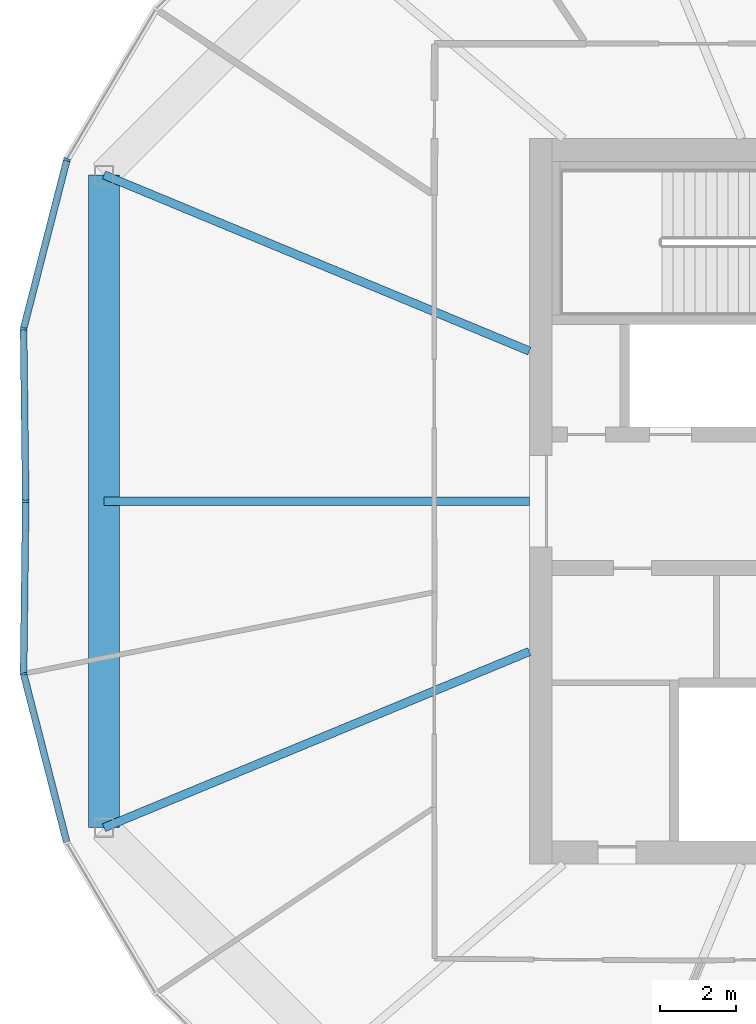
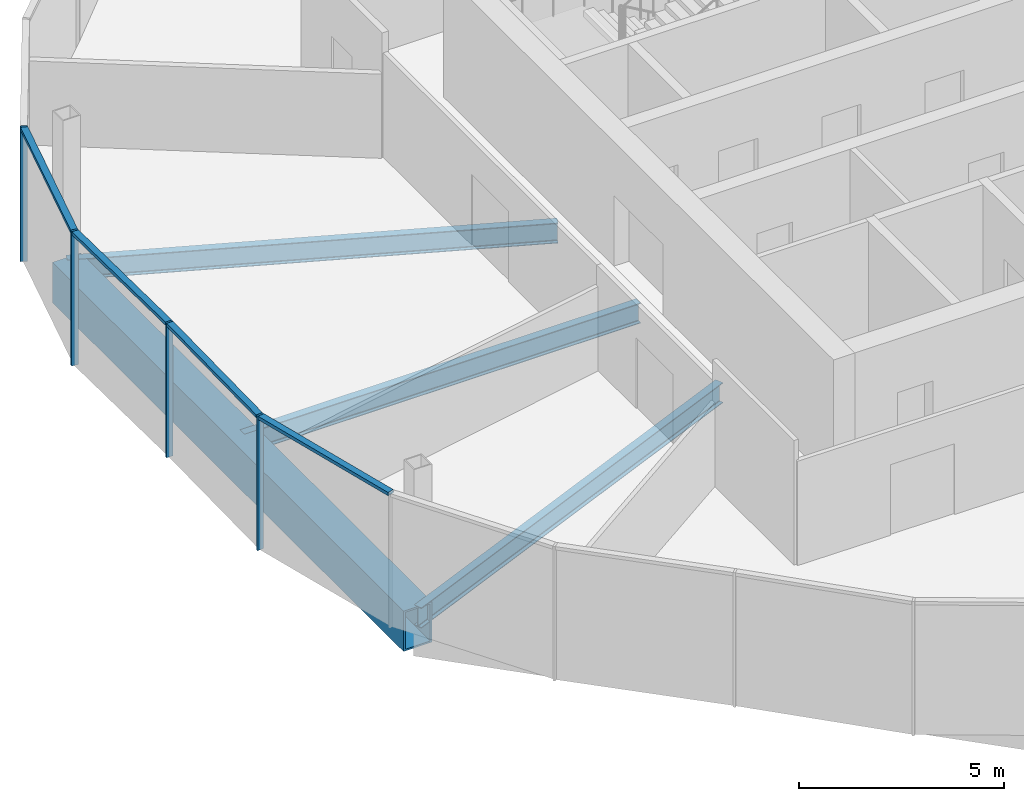
# One storey, part 4 of 25: 8 members, 4 beams, 2 elements without a shape of their own.
"""IFC4 building model written with IfcOpenShell, lengths in metres."""

import ifcopenshell
import ifcopenshell.guid

model = None  # the IFC model being written
_history = None  # IfcOwnerHistory: only IFC2X3 demands one
_inside = {}  # id of a spatial element -> (the spatial element, [elements in it])
_under = {}  # id of a project, library or spatial element -> (it, [spatial elements below it])
_declared = {}  # id of a project -> (the project, [libraries it declares])
_typed = {}  # id of a type object -> (the type object, [elements of that type])
_made_of = {}  # id of a material, layer set ... -> (it, [elements and type objects made of it])


def new_model(schema):
    """Start an empty IFC model of exactly this schema.

    Asked for "IFC4X3", IfcOpenShell would pick the latest addendum, in which some entities
    have other attributes; the version numbers below select the first issue.
    IFC2X3 requires an IfcOwnerHistory on every rooted entity: one is made here for all.
    """
    global model, _history
    if schema == "IFC4X3":
        model = ifcopenshell.file(schema_version=(4, 3, 0, 0))
    else:
        model = ifcopenshell.file(schema=schema)
    _inside.clear()
    _under.clear()
    _declared.clear()
    _typed.clear()
    _made_of.clear()
    _history = None
    if model.schema == "IFC2X3":
        org = make("IfcOrganization", Name="unknown")
        user = make(
            "IfcPersonAndOrganization",
            ThePerson=make("IfcPerson", FamilyName="unknown"),
            TheOrganization=org,
        )
        app = make(
            "IfcApplication",
            ApplicationDeveloper=org,
            Version="unknown",
            ApplicationFullName="unknown",
            ApplicationIdentifier="unknown",
        )
        _history = make(
            "IfcOwnerHistory",
            OwningUser=user,
            OwningApplication=app,
            ChangeAction="ADDED",
            CreationDate=0,
        )
    return model


def make(cls, **values):
    """One entity of the class cls with the attributes given. An attribute that is None is left unset."""
    return model.create_entity(
        cls, **{name: value for name, value in values.items() if value is not None}
    )


def rooted(cls, **values):
    """An entity with a GlobalId (a new one), such as an element, a storey or a relation."""
    return make(cls, GlobalId=ifcopenshell.guid.new(), OwnerHistory=_history, **values)


def si_unit(unit_type, name, prefix=None):
    """IfcSIUnit, for example si_unit("LENGTHUNIT", "METRE", prefix="MILLI")."""
    return make("IfcSIUnit", UnitType=unit_type, Prefix=prefix, Name=name)


def assignment(units):
    """IfcUnitAssignment: the units of a project."""
    return None if units is None else make("IfcUnitAssignment", Units=units)


def point(xyz):
    """IfcCartesianPoint."""
    return None if xyz is None else make("IfcCartesianPoint", Coordinates=xyz)


def direction(xyz):
    """IfcDirection."""
    return None if xyz is None else make("IfcDirection", DirectionRatios=xyz)


def frame(location, z_axis=None, x_axis=None):
    """IfcAxis2Placement3D, a coordinate frame: its origin and axes. An axis left out is left unset."""
    return make(
        "IfcAxis2Placement3D",
        Location=point(location),
        Axis=direction(z_axis),
        RefDirection=direction(x_axis),
    )


def frame_2d(location, x_axis=None):
    """IfcAxis2Placement2D, a coordinate frame in the plane: its origin and x axis."""
    return make(
        "IfcAxis2Placement2D", Location=point(location), RefDirection=direction(x_axis)
    )


def origin():
    """The frame at (0, 0, 0) with its axes left unset."""
    return frame((0.0, 0.0, 0.0))


def origin_2d():
    """The frame at (0, 0) in the plane with its x axis left unset."""
    return frame_2d((0.0, 0.0))


def place(relative_to, where):
    """IfcLocalPlacement: puts the frame where relative to a parent placement (None: the world)."""
    return make(
        "IfcLocalPlacement", PlacementRelTo=relative_to, RelativePlacement=where
    )


def context(
    kind, dimensions, precision=None, world=None, true_north=None, identifier=None
):
    """IfcGeometricRepresentationContext, for example the 3D "Model" context."""
    return make(
        "IfcGeometricRepresentationContext",
        ContextIdentifier=identifier,
        ContextType=kind,
        CoordinateSpaceDimension=dimensions,
        Precision=precision,
        WorldCoordinateSystem=world,
        TrueNorth=true_north,
    )


def subcontext(parent, identifier, kind, view, scale=None):
    """IfcGeometricRepresentationSubContext, for example "Body" below "Model"."""
    return make(
        "IfcGeometricRepresentationSubContext",
        ContextIdentifier=identifier,
        ContextType=kind,
        ParentContext=parent,
        TargetScale=scale,
        TargetView=view,
    )


def project(units=None, contexts=None):
    """IfcProject with its units and contexts."""
    return rooted(
        "IfcProject",
        Name="project",
        RepresentationContexts=contexts,
        UnitsInContext=assignment(units),
    )


def spatial(cls, under=None, at=None, **own):
    """A site, building, storey or space (cls), placed at a placement, below another one or the project."""
    s = rooted(cls, ObjectPlacement=at, **own)
    if under is not None:
        _under.setdefault(under.id(), (under, []))[1].append(s)
    return s


def profile(cls, at=None, kind="AREA", **sizes):
    """A parametric profile (cls). Its sizes go by their IFC names, for example OverallWidth=200.0."""
    return make(cls, ProfileType=kind, Position=at, **sizes)


def rectangle(**sizes):
    """IfcRectangleProfileDef."""
    return profile("IfcRectangleProfileDef", **sizes)


def hollow_rectangle(**sizes):
    """IfcRectangleHollowProfileDef."""
    return profile("IfcRectangleHollowProfileDef", **sizes)


def i_section(**sizes):
    """IfcIShapeProfileDef."""
    return profile("IfcIShapeProfileDef", **sizes)


def extrude(swept, where, along, depth):
    """IfcExtrudedAreaSolid: the profile swept, set in the frame where, extruded along a direction by depth."""
    return make(
        "IfcExtrudedAreaSolid",
        SweptArea=swept,
        Position=where,
        ExtrudedDirection=direction(along),
        Depth=depth,
    )


def shape(context_of_items, identifier, shape_type, items):
    """IfcShapeRepresentation: the items that make up one representation, for example the "Body"."""
    return make(
        "IfcShapeRepresentation",
        ContextOfItems=context_of_items,
        RepresentationIdentifier=identifier,
        RepresentationType=shape_type,
        Items=items,
    )


def material(Name=None, Category=None):
    """IfcMaterial."""
    return make("IfcMaterial", Name=Name, Category=Category)


def material_profile(
    of_material, cross_section, Name=None, Category=None, Priority=None
):
    """IfcMaterialProfile: a cross section and its material."""
    return make(
        "IfcMaterialProfile",
        Name=Name,
        Material=of_material,
        Profile=cross_section,
        Priority=Priority,
        Category=Category,
    )


def profile_set(profiles, Name=None, composite=None):
    """IfcMaterialProfileSet."""
    return make(
        "IfcMaterialProfileSet",
        Name=Name,
        MaterialProfiles=profiles,
        CompositeProfile=composite,
    )


def made_of(thing, what):
    """Note that an element or type object is made of a material, layer set ...; save() writes the relation."""
    if what is not None:
        _made_of.setdefault(what.id(), (what, []))[1].append(thing)
    return thing


def type_object(cls, material=None, **own):
    """A type object (cls), such as IfcWallType, which elements share."""
    return made_of(rooted(cls, **own), material)


def element(
    cls,
    number,
    at=None,
    inside=None,
    cuts=None,
    type_object=None,
    material=None,
    context=None,
    identifier="Body",
    shape_type=None,
    held_by="IfcProductDefinitionShape",
    body=None,
    shapes=None,
    **own,
):
    """One element of the class cls, such as IfcWall. Its Tag is "e" and its number.

    at: its placement. inside: the storey or other place that contains it. cuts: it is an
    opening in that element (IfcRelVoidsElement). A single representation is given by context,
    identifier, shape_type and body (its items); several are given by shapes. held_by: the class
    of the entity that holds the representations. save() writes the other relations.
    """
    e = rooted(cls, Tag="e%d" % number, ObjectPlacement=at, **own)
    if body is not None:
        shapes = [shape(context, identifier, shape_type, body)]
    if shapes is not None:
        e.Representation = make(held_by, Representations=shapes)
    if inside is not None:
        _inside.setdefault(inside.id(), (inside, []))[1].append(e)
    if cuts is not None:
        rooted(
            "IfcRelVoidsElement", RelatingBuildingElement=cuts, RelatedOpeningElement=e
        )
    if type_object is not None:
        _typed.setdefault(type_object.id(), (type_object, []))[1].append(e)
    return made_of(e, material)


def aggregate(whole, parts):
    """IfcRelAggregates: a whole, such as a stair, and the parts it consists of."""
    return rooted("IfcRelAggregates", RelatingObject=whole, RelatedObjects=parts)


def save(model, path):
    """Write the relations noted so far, then the file.

    IfcRelAggregates (storeys below a building ...), IfcRelContainedInSpatialStructure (elements
    in a storey), IfcRelDefinesByType, IfcRelAssociatesMaterial and IfcRelDeclares: one each for
    every whole, place, type object, material and project.
    """
    for whole, parts in _under.values():
        aggregate(whole, parts)
    for where, things in _inside.values():
        rooted(
            "IfcRelContainedInSpatialStructure",
            RelatedElements=things,
            RelatingStructure=where,
        )
    for kind, things in _typed.values():
        rooted("IfcRelDefinesByType", RelatedObjects=things, RelatingType=kind)
    for what, things in _made_of.values():
        rooted("IfcRelAssociatesMaterial", RelatedObjects=things, RelatingMaterial=what)
    for by, libraries in _declared.values():
        rooted("IfcRelDeclares", RelatingContext=by, RelatedDefinitions=libraries)
    model.write(path)


model = new_model("IFC4")

# Units and contexts
model_context = context("Model", 3, precision=1e-05, world=origin(), true_north=direction((0.0, 1.0)))
body_context = subcontext(model_context, "Body", "Model", "MODEL_VIEW")
ifc_project = project(units=[si_unit("LENGTHUNIT", "METRE"), si_unit("AREAUNIT", "SQUARE_METRE"), si_unit("VOLUMEUNIT", "CUBIC_METRE"), si_unit("PLANEANGLEUNIT", "RADIAN"), si_unit("MASSUNIT", "GRAM", prefix="KILO")], contexts=[model_context])

# Site, building, storey
site_placement = place(None, origin())
site = spatial("IfcSite", under=ifc_project, at=site_placement, CompositionType="ELEMENT")
building_placement = place(site_placement, origin())
building = spatial("IfcBuilding", under=site, at=building_placement, Name="Ogive Gate Towers", CompositionType="ELEMENT")
storey_placement = place(building_placement, frame((0.0, 0.0, 144.800048828125)))
storey = spatial("IfcBuildingStorey", under=building, at=storey_placement, Name="L34", CompositionType="ELEMENT", Elevation=144.800048828125)

# Beams
ifc_material_1 = material(Name="Steel SM460", Category="steel")
ifc_material_profile_1 = material_profile(ifc_material_1, hollow_rectangle(XDim=0.800048828125, YDim=1.199951171875, WallThickness=0.050048828125, at=origin_2d()), Name="BX 1200x800x50")
ifc_profile_set_1 = profile_set([ifc_material_profile_1], Name="Steel SM460")
beam_type_1 = type_object("IfcBeamType", Name="Edge girder BX 1200x800x50", PredefinedType="BEAM", material=ifc_profile_set_1)
beam_1_placement = place(storey_placement, frame((-56.639404296875, 8.549072265625, -0.900146484375), z_axis=(0.0, -1.0, 0.0), x_axis=(1.0, 0.0, 0.0)))
element("IfcBeam", 1, at=beam_1_placement, inside=storey, type_object=beam_type_1, Name="T1/L34/SBM024", PredefinedType="BEAM", context=body_context, shape_type="SweptSolid", body=[
    extrude(hollow_rectangle(XDim=0.800048828125, YDim=1.199951171875, WallThickness=0.050048828125, at=origin_2d()), origin(), (0.0, 0.0, 1.0), 17.09814453125),
])
ifc_material_2 = material(Name="Steel SM355", Category="steel")
ifc_material_profile_2 = material_profile(ifc_material_2, i_section(OverallWidth=0.219970703125, OverallDepth=0.60009765625, WebThickness=0.011962890625, FlangeThickness=0.01904296875, FilletRadius=0.02392578125, at=origin_2d()), Name="IPE 600")
ifc_profile_set_2 = profile_set([ifc_material_profile_2], Name="Steel SM355")
beam_type_2 = type_object("IfcBeamType", Name="Radial floor beam IPE 600", PredefinedType="BEAM", material=ifc_profile_set_2)
for number, where, z_axis, x_axis, name in (
    (2, (-45.5, -3.93505859375, -0.60009765625), (-0.923881839184, -0.382677863518, 0.0), (0.382677863518, -0.923881839184, 0.0), "T1/L34/SBM001"),
    (3, (-45.5, 3.93505859375, -0.60009765625), (-0.923881839184, 0.382677863518, 0.0), (-0.382677863518, -0.923881839184, 0.0), "T1/L34/SBM015"),
):
    element("IfcBeam", number, at=place(storey_placement, frame(where, z_axis=z_axis, x_axis=x_axis)), inside=storey, type_object=beam_type_2, Name=name, PredefinedType="BEAM", context=body_context, shape_type="SweptSolid", body=[
        extrude(i_section(OverallWidth=0.219970703125, OverallDepth=0.60009765625, WebThickness=0.011962890625, FlangeThickness=0.01904296875, FilletRadius=0.02392578125, at=origin_2d()), origin(), (0.0, 0.0, 1.0), 12.05712890625),
    ])
beam_2_placement = place(storey_placement, frame((-45.5, 0.0, -0.60009765625), z_axis=(-1.0, 0.0, 0.0), x_axis=(0.0, -1.0, 0.0)))
element("IfcBeam", 4, at=beam_2_placement, inside=storey, type_object=beam_type_2, Name="T1/L34/SBM016", PredefinedType="BEAM", context=body_context, shape_type="SweptSolid", body=[
    extrude(i_section(OverallWidth=0.219970703125, OverallDepth=0.60009765625, WebThickness=0.011962890625, FlangeThickness=0.01904296875, FilletRadius=0.02392578125, at=origin_2d()), origin(), (0.0, 0.0, 1.0), 11.139404296875),
])

# Curtain wall, members
ifc_material_3 = material(Name="Pale metal aluminium", Category="aluminium")
curtain_wall_type = type_object("IfcCurtainWallType", Name="Tower unitised wall, high zone", PredefinedType="NOTDEFINED", material=ifc_material_3)
curtain_wall_1_placement = place(storey_placement, origin())
curtain_wall_1 = element("IfcCurtainWall", 5, at=curtain_wall_1_placement, inside=storey, type_object=curtain_wall_type, Name="CW2 T1 ECW04", PredefinedType="NOTDEFINED")
ifc_material_profile_3 = material_profile(ifc_material_3, rectangle(XDim=0.179931640625, YDim=0.06005859375, at=origin_2d()), Name="60 x 180 aluminium box")
ifc_profile_set_3 = profile_set([ifc_material_profile_3], Name="Pale metal aluminium")
member_type_1 = type_object("IfcMemberType", Name="Tower unitised wall, high zone mullion 60 x 180", PredefinedType="MULLION", material=ifc_profile_set_3)
member_1_placement = place(storey_placement, frame((-57.610595703125, 8.951416015625, -0.300048828125), z_axis=(0.0, 0.0, 1.0), x_axis=(-0.923879532511, 0.382683432365, 0.0)))
member_1 = element("IfcMember", 6, at=member_1_placement, type_object=member_type_1, Name="CW2 mullion", PredefinedType="MULLION", context=body_context, shape_type="SweptSolid", body=[
    extrude(rectangle(XDim=0.179931640625, YDim=0.06005859375, at=origin_2d()), origin(), (0.0, 0.0, 1.0), 4.0),
])
member_2_placement = place(storey_placement, frame((-58.746337890625, 4.517333984375, -0.300048828125), z_axis=(0.0, 0.0, 1.0), x_axis=(-0.992907526444, 0.118889208638, 0.0)))
member_2 = element("IfcMember", 7, at=member_2_placement, type_object=member_type_1, Name="CW2 mullion", PredefinedType="MULLION", context=body_context, shape_type="SweptSolid", body=[
    extrude(rectangle(XDim=0.179931640625, YDim=0.06005859375, at=origin_2d()), origin(), (0.0, 0.0, 1.0), 4.0),
])
member_3_placement = place(storey_placement, frame((-58.68994140625, 0.0, -0.300048828125), z_axis=(0.0, 0.0, 1.0), x_axis=(-0.999922354634, -0.012461328328, 0.0)))
member_3 = element("IfcMember", 8, at=member_3_placement, type_object=member_type_1, Name="CW2 mullion", PredefinedType="MULLION", context=body_context, shape_type="SweptSolid", body=[
    extrude(rectangle(XDim=0.179931640625, YDim=0.06005859375, at=origin_2d()), origin(), (0.0, 0.0, 1.0), 4.0),
])

# Curtain wall, member
curtain_wall_2_placement = place(storey_placement, origin())
curtain_wall_2 = element("IfcCurtainWall", 9, at=curtain_wall_2_placement, inside=storey, type_object=curtain_wall_type, Name="CW2 T1 ECW05", PredefinedType="NOTDEFINED")
member_4_placement = place(storey_placement, frame((-58.746337890625, -4.517333984375, -0.300048828125), z_axis=(0.0, 0.0, 1.0), x_axis=(-0.992907526444, -0.118889208638, 0.0)))
member_4 = element("IfcMember", 10, at=member_4_placement, type_object=member_type_1, Name="CW2 mullion", PredefinedType="MULLION", context=body_context, shape_type="SweptSolid", body=[
    extrude(rectangle(XDim=0.179931640625, YDim=0.06005859375, at=origin_2d()), origin(), (0.0, 0.0, 1.0), 4.0),
])

# Member
ifc_material_profile_4 = material_profile(ifc_material_3, rectangle(XDim=0.179931640625, YDim=0.10009765625, at=origin_2d()), Name="100 x 180 aluminium box")
ifc_profile_set_4 = profile_set([ifc_material_profile_4], Name="Pale metal aluminium")
member_type_2 = type_object("IfcMemberType", Name="Tower unitised wall, high zone transom 100 x 180", PredefinedType="USERDEFINED", material=ifc_profile_set_4)
member_5_placement = place(storey_placement, frame((-57.617431640625, 8.923583984375, 3.64990234375), z_axis=(-0.248199905048, -0.968708835066, 0.0), x_axis=(0.968708835066, -0.248199905048, 0.0)))
member_5 = element("IfcMember", 11, at=member_5_placement, type_object=member_type_2, Name="CW2 transom", ObjectType="TRANSOM", PredefinedType="USERDEFINED", context=body_context, shape_type="SweptSolid", body=[
    extrude(rectangle(XDim=0.179931640625, YDim=0.10009765625, at=origin_2d()), origin(), (0.0, 0.0, 1.0), 4.519775390625),
])

member_6_placement = place(storey_placement, frame((-58.745849609375, 4.48876953125, 3.64990234375), z_axis=(0.012428542251, -0.999922762686, 0.0), x_axis=(0.999922762686, 0.012428542251, 0.0)))
member_6 = element("IfcMember", 12, at=member_6_placement, type_object=member_type_2, Name="CW2 transom", ObjectType="TRANSOM", PredefinedType="USERDEFINED", context=body_context, shape_type="SweptSolid", body=[
    extrude(rectangle(XDim=0.179931640625, YDim=0.10009765625, at=origin_2d()), origin(), (0.0, 0.0, 1.0), 4.458984375),
])

aggregate(curtain_wall_1, [member_1, member_2, member_5, member_3, member_6])

member_7_placement = place(storey_placement, frame((-58.6904296875, -0.030029296875, 3.64990234375), z_axis=(-0.012428542251, -0.999922762686, 0.0), x_axis=(0.999922762686, -0.012428542251, 0.0)))
member_7 = element("IfcMember", 13, at=member_7_placement, type_object=member_type_2, Name="CW2 transom", ObjectType="TRANSOM", PredefinedType="USERDEFINED", context=body_context, shape_type="SweptSolid", body=[
    extrude(rectangle(XDim=0.179931640625, YDim=0.10009765625, at=origin_2d()), origin(), (0.0, 0.0, 1.0), 4.458984375),
])

member_8_placement = place(storey_placement, frame((-58.7392578125, -4.545166015625, 3.64990234375), z_axis=(0.248199905048, -0.968708835066, 0.0), x_axis=(0.968708835066, 0.248199905048, 0.0)))
member_8 = element("IfcMember", 14, at=member_8_placement, type_object=member_type_2, Name="CW2 transom", ObjectType="TRANSOM", PredefinedType="USERDEFINED", context=body_context, shape_type="SweptSolid", body=[
    extrude(rectangle(XDim=0.179931640625, YDim=0.10009765625, at=origin_2d()), origin(), (0.0, 0.0, 1.0), 4.519775390625),
])

aggregate(curtain_wall_2, [member_4, member_7, member_8])

save(model, "model.ifc")
